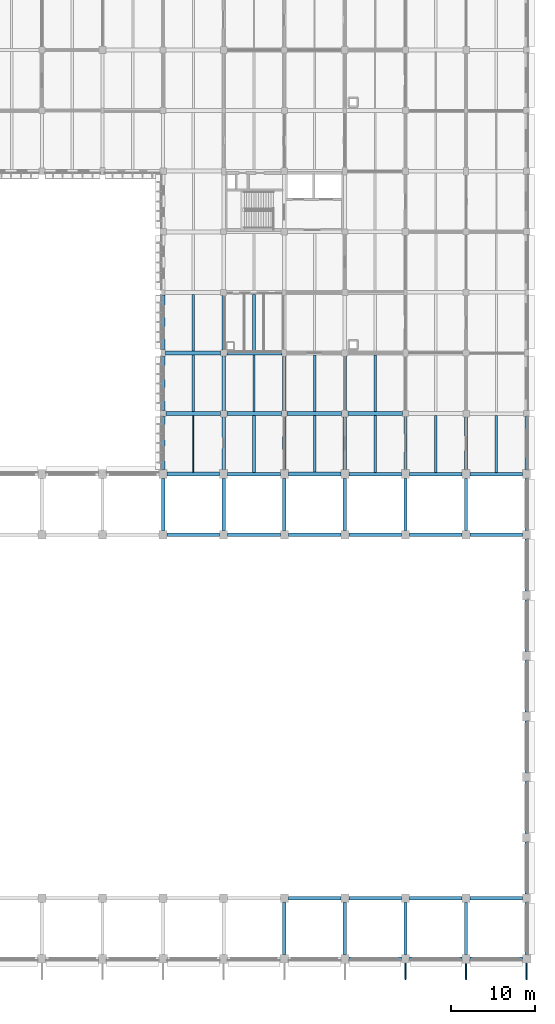
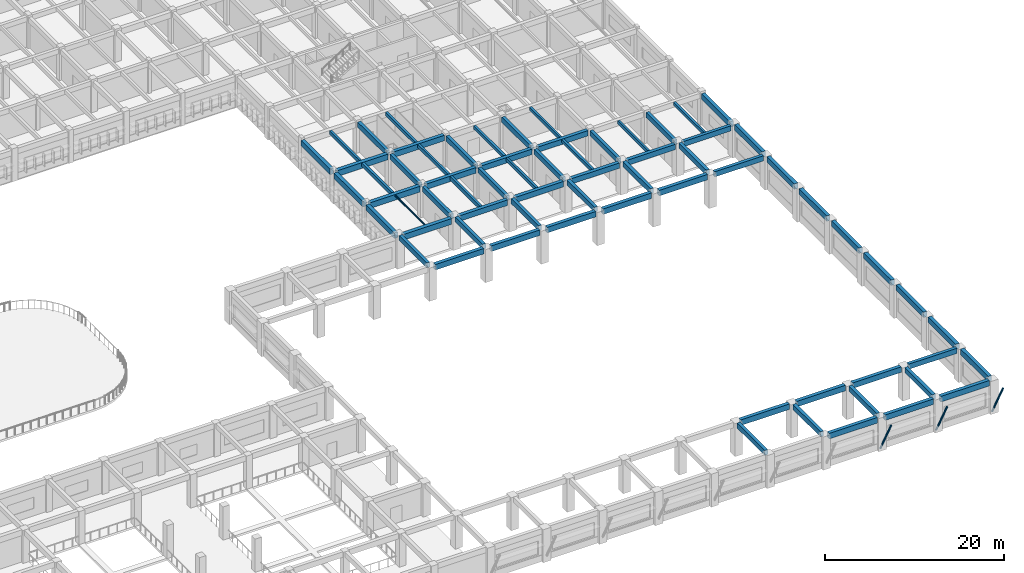
# One storey, part 11 of 61: 68 beams, 3 members.
"""IFC4 building model written with IfcOpenShell, lengths in metres."""

from ifc_helpers import new_model, si_unit, direction, frame, origin, origin_2d, place, context, subcontext, project, spatial, rectangle, hollow_circle, i_section, extrude, material, material_profile, profile_set, type_object, element, save


model = new_model("IFC4")

# Units and contexts
model_context = context("Model", 3, precision=1e-05, world=origin(), true_north=direction((0.0, 1.0)))
body_context = subcontext(model_context, "Body", "Model", "MODEL_VIEW")
ifc_project = project(units=[si_unit("LENGTHUNIT", "METRE"), si_unit("AREAUNIT", "SQUARE_METRE"), si_unit("VOLUMEUNIT", "CUBIC_METRE"), si_unit("PLANEANGLEUNIT", "RADIAN"), si_unit("MASSUNIT", "GRAM", prefix="KILO")], contexts=[model_context])

# Site, building, storey
site_placement = place(None, origin())
site = spatial("IfcSite", under=ifc_project, at=site_placement, CompositionType="ELEMENT")
building_placement = place(site_placement, origin())
building = spatial("IfcBuilding", under=site, at=building_placement, Name="Thalmaran Polytechnic", CompositionType="ELEMENT")
storey_placement = place(building_placement, frame((0.0, 0.0, 9.89990234375)))
storey = spatial("IfcBuildingStorey", under=building, at=storey_placement, Name="L02", CompositionType="ELEMENT", Elevation=9.89990234375)

# Beams
ifc_material_1 = material(Name="Concrete C40/50", Category="concrete")
ifc_material_profile_1 = material_profile(ifc_material_1, rectangle(XDim=0.449951171875, YDim=0.75, at=origin_2d()), Name="RC 450x750")
ifc_profile_set_1 = profile_set([ifc_material_profile_1], Name="Concrete C40/50")
beam_type_1 = type_object("IfcBeamType", Name="BM-RC03", PredefinedType="BEAM", material=ifc_profile_set_1)
beam_1_placement = place(storey_placement, frame((137.27490234375, 57.60009765625, 3.840087890625), z_axis=(1.0, 0.0, 0.0), x_axis=(0.0, 1.0, 0.0)))
element("IfcBeam", 1, at=beam_1_placement, inside=storey, type_object=beam_type_1, Name="Grid Beam B03 L02 X(19,8)", PredefinedType="BEAM", context=body_context, shape_type="SweptSolid", body=[
    extrude(rectangle(XDim=0.449951171875, YDim=0.75, at=origin_2d()), origin(), (0.0, 0.0, 1.0), 6.25),
])
beam_2_placement = place(storey_placement, frame((137.18994140625, 64.800048828125, 3.840087890625), z_axis=(1.0, 0.0, 0.0), x_axis=(0.0, 1.0, 0.0)))
element("IfcBeam", 2, at=beam_2_placement, inside=storey, type_object=beam_type_1, Name="Grid Beam B03 L02 X(19,9)", PredefinedType="BEAM", context=body_context, shape_type="SweptSolid", body=[
    extrude(rectangle(XDim=0.449951171875, YDim=0.75, at=origin_2d()), origin(), (0.0, 0.0, 1.0), 6.4599609375),
])
beam_3_placement = place(storey_placement, frame((137.175048828125, 72.0, 3.85009765625), z_axis=(1.0, 0.0, 0.0), x_axis=(0.0, 1.0, 0.0)))
element("IfcBeam", 3, at=beam_3_placement, inside=storey, type_object=beam_type_1, Name="Grid Beam B03 L02 X(19,10)", PredefinedType="BEAM", context=body_context, shape_type="SweptSolid", body=[
    extrude(rectangle(XDim=0.449951171875, YDim=0.75, at=origin_2d()), origin(), (0.0, 0.0, 1.0), 6.550048828125),
])
ifc_material_profile_2 = material_profile(ifc_material_1, rectangle(XDim=0.449951171875, YDim=0.72509765625, at=origin_2d()), Name="RC 450x725")
ifc_profile_set_2 = profile_set([ifc_material_profile_2], Name="Concrete C40/50")
beam_type_2 = type_object("IfcBeamType", Name="BM-RC04", PredefinedType="BEAM", material=ifc_profile_set_2)
beam_4_placement = place(storey_placement, frame((151.675048828125, 57.60009765625, 3.8525390625), z_axis=(1.0, 0.0, 0.0), x_axis=(0.0, 1.0, 0.0)))
element("IfcBeam", 4, at=beam_4_placement, inside=storey, type_object=beam_type_2, Name="Grid Beam B04 L02 X(21,8)", PredefinedType="BEAM", context=body_context, shape_type="SweptSolid", body=[
    extrude(rectangle(XDim=0.449951171875, YDim=0.72509765625, at=origin_2d()), origin(), (0.0, 0.0, 1.0), 6.25),
])
beam_5_placement = place(storey_placement, frame((151.590087890625, 64.800048828125, 3.8525390625), z_axis=(1.0, 0.0, 0.0), x_axis=(0.0, 1.0, 0.0)))
element("IfcBeam", 5, at=beam_5_placement, inside=storey, type_object=beam_type_2, Name="Grid Beam B04 L02 X(21,9)", PredefinedType="BEAM", context=body_context, shape_type="SweptSolid", body=[
    extrude(rectangle(XDim=0.449951171875, YDim=0.72509765625, at=origin_2d()), origin(), (0.0, 0.0, 1.0), 6.4599609375),
])
ifc_material_profile_3 = material_profile(ifc_material_1, rectangle(XDim=0.39990234375, YDim=0.699951171875, at=origin_2d()), Name="RC 400x700")
ifc_profile_set_3 = profile_set([ifc_material_profile_3], Name="Concrete C40/50")
beam_type_3 = type_object("IfcBeamType", Name="BM-RC05", PredefinedType="BEAM", material=ifc_profile_set_3)
for number, where, z_axis, x_axis, name in (
    (6, (166.074951171875, 7.199951171875, 4.150146484375), (1.0, 0.0, 0.0), (0.0, 1.0, 0.0), "Grid Beam B05 L02 X(23,1)"),
    (7, (166.074951171875, 50.39990234375, 4.150146484375), (1.0, 0.0, 0.0), (0.0, 1.0, 0.0), "Grid Beam B05 L02 X(23,7)"),
    (8, (166.074951171875, 57.60009765625, 3.864990234375), (1.0, 0.0, 0.0), (0.0, 1.0, 0.0), "Grid Beam B05 L02 X(23,8)"),
):
    element("IfcBeam", number, at=place(storey_placement, frame(where, z_axis=z_axis, x_axis=x_axis)), inside=storey, type_object=beam_type_3, Name=name, PredefinedType="BEAM", context=body_context, shape_type="SweptSolid", body=[
        extrude(rectangle(XDim=0.39990234375, YDim=0.699951171875, at=origin_2d()), origin(), (0.0, 0.0, 1.0), 6.25),
    ])
ifc_material_profile_4 = material_profile(ifc_material_1, rectangle(XDim=0.389892578125, YDim=0.68994140625, at=origin_2d()), Name="RC 390x690")
ifc_profile_set_4 = profile_set([ifc_material_profile_4], Name="Concrete C40/50")
beam_type_4 = type_object("IfcBeamType", Name="BM-RC09", PredefinedType="BEAM", material=ifc_profile_set_4)
beam_6_placement = place(storey_placement, frame((136.800048828125, 58.125, 3.8701171875), z_axis=(0.0, 1.0, 0.0), x_axis=(-1.0, 0.0, 0.0)))
element("IfcBeam", 9, at=beam_6_placement, inside=storey, type_object=beam_type_4, Name="Grid Beam B09 L02 Y(19,8)", PredefinedType="BEAM", context=body_context, shape_type="SweptSolid", body=[
    extrude(rectangle(XDim=0.389892578125, YDim=0.68994140625, at=origin_2d()), origin(), (0.0, 0.0, 1.0), 6.284912109375),
])
beam_7_placement = place(storey_placement, frame((144.0, 58.125, 3.8701171875), z_axis=(0.0, 1.0, 0.0), x_axis=(-1.0, 0.0, 0.0)))
element("IfcBeam", 10, at=beam_7_placement, inside=storey, type_object=beam_type_4, Name="Grid Beam B09 L02 Y(20,8)", PredefinedType="BEAM", context=body_context, shape_type="SweptSolid", body=[
    extrude(rectangle(XDim=0.389892578125, YDim=0.68994140625, at=origin_2d()), origin(), (0.0, 0.0, 1.0), 6.324951171875),
])
beam_8_placement = place(storey_placement, frame((151.199951171875, 58.125, 3.8701171875), z_axis=(0.0, 1.0, 0.0), x_axis=(-1.0, 0.0, 0.0)))
element("IfcBeam", 11, at=beam_8_placement, inside=storey, type_object=beam_type_4, Name="Grid Beam B09 L02 Y(21,8)", PredefinedType="BEAM", context=body_context, shape_type="SweptSolid", body=[
    extrude(rectangle(XDim=0.389892578125, YDim=0.68994140625, at=origin_2d()), origin(), (0.0, 0.0, 1.0), 6.284912109375),
])
beam_9_placement = place(storey_placement, frame((158.39990234375, 58.125, 3.8701171875), z_axis=(0.0, 1.0, 0.0), x_axis=(-1.0, 0.0, 0.0)))
element("IfcBeam", 12, at=beam_9_placement, inside=storey, type_object=beam_type_4, Name="Grid Beam B09 L02 Y(22,8)", PredefinedType="BEAM", context=body_context, shape_type="SweptSolid", body=[
    extrude(rectangle(XDim=0.389892578125, YDim=0.68994140625, at=origin_2d()), origin(), (0.0, 0.0, 1.0), 6.324951171875),
])
beam_10_placement = place(storey_placement, frame((165.60009765625, 58.125, 3.8701171875), z_axis=(0.0, 1.0, 0.0), x_axis=(-1.0, 0.0, 0.0)))
element("IfcBeam", 13, at=beam_10_placement, inside=storey, type_object=beam_type_4, Name="Grid Beam B09 L02 Y(23,8)", PredefinedType="BEAM", context=body_context, shape_type="SweptSolid", body=[
    extrude(rectangle(XDim=0.389892578125, YDim=0.68994140625, at=origin_2d()), origin(), (0.0, 0.0, 1.0), 6.284912109375),
])
ifc_material_profile_5 = material_profile(ifc_material_1, rectangle(XDim=0.389892578125, YDim=0.695068359375, at=origin_2d()), Name="RC 390x695")
ifc_profile_set_5 = profile_set([ifc_material_profile_5], Name="Concrete C40/50")
beam_type_5 = type_object("IfcBeamType", Name="BM-RC10", PredefinedType="BEAM", material=ifc_profile_set_5)
beam_11_placement = place(storey_placement, frame((136.800048828125, 72.375, 3.877685546875), z_axis=(0.0, 1.0, 0.0), x_axis=(-1.0, 0.0, 0.0)))
element("IfcBeam", 14, at=beam_11_placement, inside=storey, type_object=beam_type_5, Name="Grid Beam B10 L02 Y(19,10)", PredefinedType="BEAM", context=body_context, shape_type="SweptSolid", body=[
    extrude(rectangle(XDim=0.389892578125, YDim=0.695068359375, at=origin_2d()), origin(), (0.0, 0.0, 1.0), 6.465087890625),
])
ifc_material_profile_6 = material_profile(ifc_material_1, rectangle(XDim=0.300048828125, YDim=0.5, at=origin_2d()), Name="RC 300x500")
ifc_profile_set_6 = profile_set([ifc_material_profile_6], Name="Concrete C40/50")
beam_type_6 = type_object("IfcBeamType", Name="BM-RC11", PredefinedType="JOIST", material=ifc_profile_set_6)
beam_12_placement = place(storey_placement, frame((133.199951171875, 65.0400390625, 3.97509765625), z_axis=(0.0, 1.0, 0.0), x_axis=(-1.0, 0.0, 0.0)))
element("IfcBeam", 15, at=beam_12_placement, inside=storey, type_object=beam_type_6, Name="Secondary Floor Rib RB01 L02 (18,9)", PredefinedType="JOIST", context=body_context, shape_type="SweptSolid", body=[
    extrude(rectangle(XDim=0.300048828125, YDim=0.5, at=origin_2d()), origin(), (0.0, 0.0, 1.0), 6.719970703125),
])
beam_13_placement = place(storey_placement, frame((140.39990234375, 57.824951171875, 3.965087890625), z_axis=(0.0, 1.0, 0.0), x_axis=(-1.0, 0.0, 0.0)))
element("IfcBeam", 16, at=beam_13_placement, inside=storey, type_object=beam_type_6, Name="Secondary Floor Rib RB01 L02 (19,8)", PredefinedType="JOIST", context=body_context, shape_type="SweptSolid", body=[
    extrude(rectangle(XDim=0.300048828125, YDim=0.5, at=origin_2d()), origin(), (0.0, 0.0, 1.0), 6.75),
])
ifc_material_profile_7 = material_profile(ifc_material_1, rectangle(XDim=0.300048828125, YDim=0.449951171875, at=origin_2d()), Name="RC 300x450")
ifc_profile_set_7 = profile_set([ifc_material_profile_7], Name="Concrete C40/50")
beam_type_7 = type_object("IfcBeamType", Name="BM-RC12", PredefinedType="JOIST", material=ifc_profile_set_7)
beam_14_placement = place(storey_placement, frame((140.39990234375, 72.22509765625, 4.0), z_axis=(0.0, 1.0, 0.0), x_axis=(-1.0, 0.0, 0.0)))
element("IfcBeam", 17, at=beam_14_placement, inside=storey, type_object=beam_type_7, Name="Secondary Floor Rib RB02 L02 (19,10)", PredefinedType="JOIST", context=body_context, shape_type="SweptSolid", body=[
    extrude(rectangle(XDim=0.300048828125, YDim=0.449951171875, at=origin_2d()), origin(), (0.0, 0.0, 1.0), 6.75),
])
beam_15_placement = place(storey_placement, frame((147.60009765625, 65.030029296875, 4.0), z_axis=(0.0, 1.0, 0.0), x_axis=(-1.0, 0.0, 0.0)))
element("IfcBeam", 18, at=beam_15_placement, inside=storey, type_object=beam_type_7, Name="Secondary Floor Rib RB02 L02 (20,9)", PredefinedType="JOIST", context=body_context, shape_type="SweptSolid", body=[
    extrude(rectangle(XDim=0.300048828125, YDim=0.449951171875, at=origin_2d()), origin(), (0.0, 0.0, 1.0), 6.739990234375),
])
beam_16_placement = place(storey_placement, frame((154.800048828125, 57.824951171875, 3.989990234375), z_axis=(0.0, 1.0, 0.0), x_axis=(-1.0, 0.0, 0.0)))
element("IfcBeam", 19, at=beam_16_placement, inside=storey, type_object=beam_type_7, Name="Secondary Floor Rib RB02 L02 (21,8)", PredefinedType="JOIST", context=body_context, shape_type="SweptSolid", body=[
    extrude(rectangle(XDim=0.300048828125, YDim=0.449951171875, at=origin_2d()), origin(), (0.0, 0.0, 1.0), 6.75),
])
ifc_material_profile_8 = material_profile(ifc_material_1, rectangle(XDim=0.280029296875, YDim=0.449951171875, at=origin_2d()), Name="RC 280x450")
ifc_profile_set_8 = profile_set([ifc_material_profile_8], Name="Concrete C40/50")
beam_type_8 = type_object("IfcBeamType", Name="BM-RC13", PredefinedType="JOIST", material=ifc_profile_set_8)
beam_17_placement = place(storey_placement, frame((169.199951171875, 57.800048828125, 3.989990234375), z_axis=(0.0, 1.0, 0.0), x_axis=(-1.0, 0.0, 0.0)))
element("IfcBeam", 20, at=beam_17_placement, inside=storey, type_object=beam_type_8, Name="Secondary Floor Rib RB03 L02 (23,8)", PredefinedType="JOIST", context=body_context, shape_type="SweptSolid", body=[
    extrude(rectangle(XDim=0.280029296875, YDim=0.449951171875, at=origin_2d()), origin(), (0.0, 0.0, 1.0), 6.800048828125),
])
ifc_material_2 = material(Name="Steel S355", Category="steel")
ifc_material_profile_9 = material_profile(ifc_material_2, i_section(OverallWidth=0.110107421875, OverallDepth=0.219970703125, WebThickness=0.005859375, FlangeThickness=0.00927734375, at=origin_2d()), Name="IPE 220")
ifc_profile_set_9 = profile_set([ifc_material_profile_9], Name="Steel S355")
beam_type_9 = type_object("IfcBeamType", Name="BM-SJ04", PredefinedType="JOIST", material=ifc_profile_set_9)
beam_18_placement = place(storey_placement, frame((133.199951171875, 57.840087890625, 4.10498046875), z_axis=(0.0, 1.0, 0.0), x_axis=(-1.0, 0.0, 0.0)))
element("IfcBeam", 21, at=beam_18_placement, inside=storey, type_object=beam_type_9, Name="Secondary Floor Rib SJ04 L02 (18,8)", PredefinedType="JOIST", context=body_context, shape_type="SweptSolid", body=[
    extrude(i_section(OverallWidth=0.110107421875, OverallDepth=0.219970703125, WebThickness=0.005859375, FlangeThickness=0.00927734375, at=origin_2d()), origin(), (0.0, 0.0, 1.0), 6.719970703125),
])
ifc_material_profile_10 = material_profile(ifc_material_1, rectangle(XDim=0.449951171875, YDim=0.7548828125, at=origin_2d()), Name="RC 450x755")
ifc_profile_set_10 = profile_set([ifc_material_profile_10], Name="Concrete C40/50")
beam_type_10 = type_object("IfcBeamType", Name="BM-SP02", PredefinedType="SPANDREL", material=ifc_profile_set_10)
for number, where, z_axis, x_axis, name in (
    (22, (130.074951171875, 50.39990234375, 4.12255859375), (1.0, 0.0, 0.0), (0.0, 1.0, 0.0), "Grid Beam SP02 L02 X(18,7)"),
    (23, (137.27490234375, 50.39990234375, 4.12255859375), (1.0, 0.0, 0.0), (0.0, 1.0, 0.0), "Grid Beam SP02 L02 X(19,7)"),
    (24, (144.47509765625, 7.199951171875, 4.12255859375), (1.0, 0.0, 0.0), (0.0, 1.0, 0.0), "Grid Beam SP02 L02 X(20,1)"),
    (25, (144.47509765625, 50.39990234375, 4.12255859375), (1.0, 0.0, 0.0), (0.0, 1.0, 0.0), "Grid Beam SP02 L02 X(20,7)"),
):
    element("IfcBeam", number, at=place(storey_placement, frame(where, z_axis=z_axis, x_axis=x_axis)), inside=storey, type_object=beam_type_10, Name=name, PredefinedType="SPANDREL", context=body_context, shape_type="SweptSolid", body=[
        extrude(rectangle(XDim=0.449951171875, YDim=0.7548828125, at=origin_2d()), origin(), (0.0, 0.0, 1.0), 6.25),
    ])
beam_19_placement = place(storey_placement, frame((151.675048828125, 0.0, 4.12255859375), z_axis=(1.0, 0.0, 0.0), x_axis=(0.0, 1.0, 0.0)))
element("IfcBeam", 26, at=beam_19_placement, inside=storey, type_object=beam_type_10, Name="Grid Beam SP02 L02 X(21,0)", PredefinedType="SPANDREL", context=body_context, shape_type="SweptSolid", body=[
    extrude(rectangle(XDim=0.449951171875, YDim=0.7548828125, at=origin_2d()), origin(), (0.0, 0.0, 1.0), 6.224853515625),
])
for number, where, z_axis, x_axis, name in (
    (27, (151.675048828125, 7.199951171875, 4.12255859375), (1.0, 0.0, 0.0), (0.0, 1.0, 0.0), "Grid Beam SP02 L02 X(21,1)"),
    (28, (151.675048828125, 50.39990234375, 4.12255859375), (1.0, 0.0, 0.0), (0.0, 1.0, 0.0), "Grid Beam SP02 L02 X(21,7)"),
):
    element("IfcBeam", number, at=place(storey_placement, frame(where, z_axis=z_axis, x_axis=x_axis)), inside=storey, type_object=beam_type_10, Name=name, PredefinedType="SPANDREL", context=body_context, shape_type="SweptSolid", body=[
        extrude(rectangle(XDim=0.449951171875, YDim=0.7548828125, at=origin_2d()), origin(), (0.0, 0.0, 1.0), 6.25),
    ])
beam_20_placement = place(storey_placement, frame((158.89990234375, 0.0, 4.12255859375), z_axis=(1.0, 0.0, 0.0), x_axis=(0.0, 1.0, 0.0)))
element("IfcBeam", 29, at=beam_20_placement, inside=storey, type_object=beam_type_10, Name="Grid Beam SP02 L02 X(22,0)", PredefinedType="SPANDREL", context=body_context, shape_type="SweptSolid", body=[
    extrude(rectangle(XDim=0.449951171875, YDim=0.7548828125, at=origin_2d()), origin(), (0.0, 0.0, 1.0), 6.22509765625),
])
for number, where, z_axis, x_axis, name in (
    (30, (158.875, 7.199951171875, 4.12255859375), (1.0, 0.0, 0.0), (0.0, 1.0, 0.0), "Grid Beam SP02 L02 X(22,1)"),
    (31, (158.875, 50.39990234375, 4.12255859375), (1.0, 0.0, 0.0), (0.0, 1.0, 0.0), "Grid Beam SP02 L02 X(22,7)"),
):
    element("IfcBeam", number, at=place(storey_placement, frame(where, z_axis=z_axis, x_axis=x_axis)), inside=storey, type_object=beam_type_10, Name=name, PredefinedType="SPANDREL", context=body_context, shape_type="SweptSolid", body=[
        extrude(rectangle(XDim=0.449951171875, YDim=0.7548828125, at=origin_2d()), origin(), (0.0, 0.0, 1.0), 6.25),
    ])
beam_21_placement = place(storey_placement, frame((166.074951171875, 0.0, 4.12255859375), z_axis=(1.0, 0.0, 0.0), x_axis=(0.0, 1.0, 0.0)))
element("IfcBeam", 32, at=beam_21_placement, inside=storey, type_object=beam_type_10, Name="Grid Beam SP02 L02 X(23,0)", PredefinedType="SPANDREL", context=body_context, shape_type="SweptSolid", body=[
    extrude(rectangle(XDim=0.449951171875, YDim=0.7548828125, at=origin_2d()), origin(), (0.0, 0.0, 1.0), 6.22509765625),
])
beam_22_placement = place(storey_placement, frame((129.60009765625, 58.125, 3.837646484375), z_axis=(0.0, 1.0, 0.0), x_axis=(-1.0, 0.0, 0.0)))
element("IfcBeam", 33, at=beam_22_placement, inside=storey, type_object=beam_type_10, Name="Grid Beam SP02 L02 Y(18,8)", PredefinedType="SPANDREL", context=body_context, shape_type="SweptSolid", body=[
    extrude(rectangle(XDim=0.449951171875, YDim=0.7548828125, at=origin_2d()), origin(), (0.0, 0.0, 1.0), 6.324951171875),
])
beam_23_placement = place(storey_placement, frame((129.60009765625, 65.14990234375, 3.84765625), z_axis=(0.0, 1.0, 0.0), x_axis=(-1.0, 0.0, 0.0)))
element("IfcBeam", 34, at=beam_23_placement, inside=storey, type_object=beam_type_10, Name="Grid Beam SP02 L02 Y(18,9)", PredefinedType="SPANDREL", context=body_context, shape_type="SweptSolid", body=[
    extrude(rectangle(XDim=0.449951171875, YDim=0.7548828125, at=origin_2d()), origin(), (0.0, 0.0, 1.0), 6.425048828125),
])
beam_24_placement = place(storey_placement, frame((129.60009765625, 72.425048828125, 3.84765625), z_axis=(0.0, 1.0, 0.0), x_axis=(-1.0, 0.0, 0.0)))
element("IfcBeam", 35, at=beam_24_placement, inside=storey, type_object=beam_type_10, Name="Grid Beam SP02 L02 Y(18,10)", PredefinedType="SPANDREL", context=body_context, shape_type="SweptSolid", body=[
    extrude(rectangle(XDim=0.449951171875, YDim=0.7548828125, at=origin_2d()), origin(), (0.0, 0.0, 1.0), 6.474853515625),
])
beam_25_placement = place(storey_placement, frame((172.800048828125, 0.5, 4.12255859375), z_axis=(0.0, 1.0, 0.0), x_axis=(-1.0, 0.0, 0.0)))
element("IfcBeam", 36, at=beam_25_placement, inside=storey, type_object=beam_type_10, Name="Grid Beam SP02 L02 Y(24,0)", PredefinedType="SPANDREL", context=body_context, shape_type="SweptSolid", body=[
    extrude(rectangle(XDim=0.449951171875, YDim=0.7548828125, at=origin_2d()), origin(), (0.0, 0.0, 1.0), 6.175048828125),
])
for number, where, z_axis, x_axis, name in (
    (37, (172.800048828125, 7.72509765625, 4.12255859375), (0.0, 1.0, 0.0), (-1.0, 0.0, 0.0), "Grid Beam SP02 L02 Y(24,1)"),
    (38, (172.800048828125, 14.925048828125, 4.12255859375), (0.0, 1.0, 0.0), (-1.0, 0.0, 0.0), "Grid Beam SP02 L02 Y(24,2)"),
    (39, (172.800048828125, 22.125, 4.12255859375), (0.0, 1.0, 0.0), (-1.0, 0.0, 0.0), "Grid Beam SP02 L02 Y(24,3)"),
):
    element("IfcBeam", number, at=place(storey_placement, frame(where, z_axis=z_axis, x_axis=x_axis)), inside=storey, type_object=beam_type_10, Name=name, PredefinedType="SPANDREL", context=body_context, shape_type="SweptSolid", body=[
        extrude(rectangle(XDim=0.449951171875, YDim=0.7548828125, at=origin_2d()), origin(), (0.0, 0.0, 1.0), 6.14990234375),
    ])
for number, where, z_axis, x_axis, name in (
    (40, (172.800048828125, 29.324951171875, 4.12255859375), (0.0, 1.0, 0.0), (-1.0, 0.0, 0.0), "Grid Beam SP02 L02 Y(24,4)"),
    (41, (172.800048828125, 36.52490234375, 4.12255859375), (0.0, 1.0, 0.0), (-1.0, 0.0, 0.0), "Grid Beam SP02 L02 Y(24,5)"),
):
    element("IfcBeam", number, at=place(storey_placement, frame(where, z_axis=z_axis, x_axis=x_axis)), inside=storey, type_object=beam_type_10, Name=name, PredefinedType="SPANDREL", context=body_context, shape_type="SweptSolid", body=[
        extrude(rectangle(XDim=0.449951171875, YDim=0.7548828125, at=origin_2d()), origin(), (0.0, 0.0, 1.0), 6.150146484375),
    ])
for number, where, z_axis, x_axis, name in (
    (42, (172.800048828125, 43.72509765625, 4.12255859375), (0.0, 1.0, 0.0), (-1.0, 0.0, 0.0), "Grid Beam SP02 L02 Y(24,6)"),
    (43, (172.800048828125, 50.925048828125, 4.12255859375), (0.0, 1.0, 0.0), (-1.0, 0.0, 0.0), "Grid Beam SP02 L02 Y(24,7)"),
):
    element("IfcBeam", number, at=place(storey_placement, frame(where, z_axis=z_axis, x_axis=x_axis)), inside=storey, type_object=beam_type_10, Name=name, PredefinedType="SPANDREL", context=body_context, shape_type="SweptSolid", body=[
        extrude(rectangle(XDim=0.449951171875, YDim=0.7548828125, at=origin_2d()), origin(), (0.0, 0.0, 1.0), 6.14990234375),
    ])
beam_26_placement = place(storey_placement, frame((172.800048828125, 58.125, 3.837646484375), z_axis=(0.0, 1.0, 0.0), x_axis=(-1.0, 0.0, 0.0)))
element("IfcBeam", 44, at=beam_26_placement, inside=storey, type_object=beam_type_10, Name="Grid Beam SP02 L02 Y(24,8)", PredefinedType="SPANDREL", context=body_context, shape_type="SweptSolid", body=[
    extrude(rectangle(XDim=0.449951171875, YDim=0.7548828125, at=origin_2d()), origin(), (0.0, 0.0, 1.0), 6.324951171875),
])
ifc_material_profile_11 = material_profile(ifc_material_1, rectangle(XDim=0.47998046875, YDim=0.780029296875, at=origin_2d()), Name="RC 480x780")
ifc_profile_set_11 = profile_set([ifc_material_profile_11], Name="Concrete C40/50")
beam_type_11 = type_object("IfcBeamType", Name="BM-ZB01", PredefinedType="BEAM", material=ifc_profile_set_11)
beam_27_placement = place(storey_placement, frame((130.074951171875, 57.60009765625, 3.8251953125), z_axis=(1.0, 0.0, 0.0), x_axis=(0.0, 1.0, 0.0)))
element("IfcBeam", 45, at=beam_27_placement, inside=storey, type_object=beam_type_11, Name="Grid Beam ZB01 L02 X(18,8)", PredefinedType="BEAM", context=body_context, shape_type="SweptSolid", body=[
    extrude(rectangle(XDim=0.47998046875, YDim=0.780029296875, at=origin_2d()), origin(), (0.0, 0.0, 1.0), 6.25),
])
beam_28_placement = place(storey_placement, frame((129.949951171875, 64.800048828125, 3.8251953125), z_axis=(1.0, 0.0, 0.0), x_axis=(0.0, 1.0, 0.0)))
element("IfcBeam", 46, at=beam_28_placement, inside=storey, type_object=beam_type_11, Name="Grid Beam ZB01 L02 X(18,9)", PredefinedType="BEAM", context=body_context, shape_type="SweptSolid", body=[
    extrude(rectangle(XDim=0.47998046875, YDim=0.780029296875, at=origin_2d()), origin(), (0.0, 0.0, 1.0), 6.4599609375),
])
beam_29_placement = place(storey_placement, frame((129.875, 72.0, 3.835205078125), z_axis=(1.0, 0.0, 0.0), x_axis=(0.0, 1.0, 0.0)))
element("IfcBeam", 47, at=beam_29_placement, inside=storey, type_object=beam_type_11, Name="Grid Beam ZB01 L02 X(18,10)", PredefinedType="BEAM", context=body_context, shape_type="SweptSolid", body=[
    extrude(rectangle(XDim=0.47998046875, YDim=0.780029296875, at=origin_2d()), origin(), (0.0, 0.0, 1.0), 6.550048828125),
])
ifc_material_profile_12 = material_profile(ifc_material_1, rectangle(XDim=0.4599609375, YDim=0.739990234375, at=origin_2d()), Name="RC 460x740")
ifc_profile_set_12 = profile_set([ifc_material_profile_12], Name="Concrete C40/50")
beam_type_12 = type_object("IfcBeamType", Name="BM-ZB02", PredefinedType="BEAM", material=ifc_profile_set_12)
beam_30_placement = place(storey_placement, frame((144.47509765625, 57.60009765625, 3.84521484375), z_axis=(1.0, 0.0, 0.0), x_axis=(0.0, 1.0, 0.0)))
element("IfcBeam", 48, at=beam_30_placement, inside=storey, type_object=beam_type_12, Name="Grid Beam ZB02 L02 X(20,8)", PredefinedType="BEAM", context=body_context, shape_type="SweptSolid", body=[
    extrude(rectangle(XDim=0.4599609375, YDim=0.739990234375, at=origin_2d()), origin(), (0.0, 0.0, 1.0), 6.25),
])
beam_31_placement = place(storey_placement, frame((144.35009765625, 64.800048828125, 3.84521484375), z_axis=(1.0, 0.0, 0.0), x_axis=(0.0, 1.0, 0.0)))
element("IfcBeam", 49, at=beam_31_placement, inside=storey, type_object=beam_type_12, Name="Grid Beam ZB02 L02 X(20,9)", PredefinedType="BEAM", context=body_context, shape_type="SweptSolid", body=[
    extrude(rectangle(XDim=0.4599609375, YDim=0.739990234375, at=origin_2d()), origin(), (0.0, 0.0, 1.0), 6.4599609375),
])
ifc_material_profile_13 = material_profile(ifc_material_1, rectangle(XDim=0.43994140625, YDim=0.719970703125, at=origin_2d()), Name="RC 440x720")
ifc_profile_set_13 = profile_set([ifc_material_profile_13], Name="Concrete C40/50")
beam_type_13 = type_object("IfcBeamType", Name="BM-ZB03", PredefinedType="BEAM", material=ifc_profile_set_13)
beam_32_placement = place(storey_placement, frame((158.875, 57.60009765625, 3.85498046875), z_axis=(1.0, 0.0, 0.0), x_axis=(0.0, 1.0, 0.0)))
element("IfcBeam", 50, at=beam_32_placement, inside=storey, type_object=beam_type_13, Name="Grid Beam ZB03 L02 X(22,8)", PredefinedType="BEAM", context=body_context, shape_type="SweptSolid", body=[
    extrude(rectangle(XDim=0.43994140625, YDim=0.719970703125, at=origin_2d()), origin(), (0.0, 0.0, 1.0), 6.25),
])
ifc_material_profile_14 = material_profile(ifc_material_1, rectangle(XDim=0.39990234375, YDim=0.68505859375, at=origin_2d()), Name="RC 400x685")
ifc_profile_set_14 = profile_set([ifc_material_profile_14], Name="Concrete C40/50")
beam_type_14 = type_object("IfcBeamType", Name="BM-ZB07", PredefinedType="BEAM", material=ifc_profile_set_14)
for number, where, z_axis, x_axis, name in (
    (51, (129.60009765625, 50.925048828125, 4.15771484375), (0.0, 1.0, 0.0), (-1.0, 0.0, 0.0), "Grid Beam ZB07 L02 Y(18,7)"),
    (52, (136.800048828125, 50.925048828125, 4.15771484375), (0.0, 1.0, 0.0), (-1.0, 0.0, 0.0), "Grid Beam ZB07 L02 Y(19,7)"),
):
    element("IfcBeam", number, at=place(storey_placement, frame(where, z_axis=z_axis, x_axis=x_axis)), inside=storey, type_object=beam_type_14, Name=name, PredefinedType="BEAM", context=body_context, shape_type="SweptSolid", body=[
        extrude(rectangle(XDim=0.39990234375, YDim=0.68505859375, at=origin_2d()), origin(), (0.0, 0.0, 1.0), 6.14990234375),
    ])
beam_33_placement = place(storey_placement, frame((144.0, 0.5, 4.15771484375), z_axis=(0.0, 1.0, 0.0), x_axis=(-1.0, 0.0, 0.0)))
element("IfcBeam", 53, at=beam_33_placement, inside=storey, type_object=beam_type_14, Name="Grid Beam ZB07 L02 Y(20,0)", PredefinedType="BEAM", context=body_context, shape_type="SweptSolid", body=[
    extrude(rectangle(XDim=0.39990234375, YDim=0.68505859375, at=origin_2d()), origin(), (0.0, 0.0, 1.0), 6.175048828125),
])
beam_34_placement = place(storey_placement, frame((144.0, 50.925048828125, 4.15771484375), z_axis=(0.0, 1.0, 0.0), x_axis=(-1.0, 0.0, 0.0)))
element("IfcBeam", 54, at=beam_34_placement, inside=storey, type_object=beam_type_14, Name="Grid Beam ZB07 L02 Y(20,7)", PredefinedType="BEAM", context=body_context, shape_type="SweptSolid", body=[
    extrude(rectangle(XDim=0.39990234375, YDim=0.68505859375, at=origin_2d()), origin(), (0.0, 0.0, 1.0), 6.14990234375),
])
beam_35_placement = place(storey_placement, frame((151.199951171875, 0.52490234375, 4.15771484375), z_axis=(0.0, 1.0, 0.0), x_axis=(-1.0, 0.0, 0.0)))
element("IfcBeam", 55, at=beam_35_placement, inside=storey, type_object=beam_type_14, Name="Grid Beam ZB07 L02 Y(21,0)", PredefinedType="BEAM", context=body_context, shape_type="SweptSolid", body=[
    extrude(rectangle(XDim=0.39990234375, YDim=0.68505859375, at=origin_2d()), origin(), (0.0, 0.0, 1.0), 6.150146484375),
])
beam_36_placement = place(storey_placement, frame((151.199951171875, 50.925048828125, 4.15771484375), z_axis=(0.0, 1.0, 0.0), x_axis=(-1.0, 0.0, 0.0)))
element("IfcBeam", 56, at=beam_36_placement, inside=storey, type_object=beam_type_14, Name="Grid Beam ZB07 L02 Y(21,7)", PredefinedType="BEAM", context=body_context, shape_type="SweptSolid", body=[
    extrude(rectangle(XDim=0.39990234375, YDim=0.68505859375, at=origin_2d()), origin(), (0.0, 0.0, 1.0), 6.14990234375),
])
beam_37_placement = place(storey_placement, frame((158.39990234375, 0.5, 4.15771484375), z_axis=(0.0, 1.0, 0.0), x_axis=(-1.0, 0.0, 0.0)))
element("IfcBeam", 57, at=beam_37_placement, inside=storey, type_object=beam_type_14, Name="Grid Beam ZB07 L02 Y(22,0)", PredefinedType="BEAM", context=body_context, shape_type="SweptSolid", body=[
    extrude(rectangle(XDim=0.39990234375, YDim=0.68505859375, at=origin_2d()), origin(), (0.0, 0.0, 1.0), 6.175048828125),
])
beam_38_placement = place(storey_placement, frame((158.39990234375, 50.925048828125, 4.15771484375), z_axis=(0.0, 1.0, 0.0), x_axis=(-1.0, 0.0, 0.0)))
element("IfcBeam", 58, at=beam_38_placement, inside=storey, type_object=beam_type_14, Name="Grid Beam ZB07 L02 Y(22,7)", PredefinedType="BEAM", context=body_context, shape_type="SweptSolid", body=[
    extrude(rectangle(XDim=0.39990234375, YDim=0.68505859375, at=origin_2d()), origin(), (0.0, 0.0, 1.0), 6.14990234375),
])
beam_39_placement = place(storey_placement, frame((165.60009765625, 0.52490234375, 4.15771484375), z_axis=(0.0, 1.0, 0.0), x_axis=(-1.0, 0.0, 0.0)))
element("IfcBeam", 59, at=beam_39_placement, inside=storey, type_object=beam_type_14, Name="Grid Beam ZB07 L02 Y(23,0)", PredefinedType="BEAM", context=body_context, shape_type="SweptSolid", body=[
    extrude(rectangle(XDim=0.39990234375, YDim=0.68505859375, at=origin_2d()), origin(), (0.0, 0.0, 1.0), 6.150146484375),
])
beam_40_placement = place(storey_placement, frame((165.60009765625, 50.925048828125, 4.15771484375), z_axis=(0.0, 1.0, 0.0), x_axis=(-1.0, 0.0, 0.0)))
element("IfcBeam", 60, at=beam_40_placement, inside=storey, type_object=beam_type_14, Name="Grid Beam ZB07 L02 Y(23,7)", PredefinedType="BEAM", context=body_context, shape_type="SweptSolid", body=[
    extrude(rectangle(XDim=0.39990234375, YDim=0.68505859375, at=origin_2d()), origin(), (0.0, 0.0, 1.0), 6.14990234375),
])
ifc_material_profile_15 = material_profile(ifc_material_1, rectangle(XDim=0.39990234375, YDim=0.695068359375, at=origin_2d()), Name="RC 400x695")
ifc_profile_set_15 = profile_set([ifc_material_profile_15], Name="Concrete C40/50")
beam_type_15 = type_object("IfcBeamType", Name="BM-ZB08", PredefinedType="BEAM", material=ifc_profile_set_15)
beam_41_placement = place(storey_placement, frame((136.800048828125, 65.18994140625, 3.877685546875), z_axis=(0.0, 1.0, 0.0), x_axis=(-1.0, 0.0, 0.0)))
element("IfcBeam", 61, at=beam_41_placement, inside=storey, type_object=beam_type_15, Name="Grid Beam ZB08 L02 Y(19,9)", PredefinedType="BEAM", context=body_context, shape_type="SweptSolid", body=[
    extrude(rectangle(XDim=0.39990234375, YDim=0.695068359375, at=origin_2d()), origin(), (0.0, 0.0, 1.0), 6.43505859375),
])
beam_42_placement = place(storey_placement, frame((144.0, 65.14990234375, 3.877685546875), z_axis=(0.0, 1.0, 0.0), x_axis=(-1.0, 0.0, 0.0)))
element("IfcBeam", 62, at=beam_42_placement, inside=storey, type_object=beam_type_15, Name="Grid Beam ZB08 L02 Y(20,9)", PredefinedType="BEAM", context=body_context, shape_type="SweptSolid", body=[
    extrude(rectangle(XDim=0.39990234375, YDim=0.695068359375, at=origin_2d()), origin(), (0.0, 0.0, 1.0), 6.425048828125),
])
beam_43_placement = place(storey_placement, frame((151.199951171875, 65.18994140625, 3.877685546875), z_axis=(0.0, 1.0, 0.0), x_axis=(-1.0, 0.0, 0.0)))
element("IfcBeam", 63, at=beam_43_placement, inside=storey, type_object=beam_type_15, Name="Grid Beam ZB08 L02 Y(21,9)", PredefinedType="BEAM", context=body_context, shape_type="SweptSolid", body=[
    extrude(rectangle(XDim=0.39990234375, YDim=0.695068359375, at=origin_2d()), origin(), (0.0, 0.0, 1.0), 6.43505859375),
])
ifc_material_profile_16 = material_profile(ifc_material_1, rectangle(XDim=0.280029296875, YDim=0.47998046875, at=origin_2d()), Name="RC 280x480")
ifc_profile_set_16 = profile_set([ifc_material_profile_16], Name="Concrete C40/50")
beam_type_16 = type_object("IfcBeamType", Name="BM-ZJ01", PredefinedType="JOIST", material=ifc_profile_set_16)
beam_44_placement = place(storey_placement, frame((133.199951171875, 72.239990234375, 3.985107421875), z_axis=(0.0, 1.0, 0.0), x_axis=(-1.0, 0.0, 0.0)))
element("IfcBeam", 64, at=beam_44_placement, inside=storey, type_object=beam_type_16, Name="Secondary Floor Rib ZJ01 L02 (18,10)", PredefinedType="JOIST", context=body_context, shape_type="SweptSolid", body=[
    extrude(rectangle(XDim=0.280029296875, YDim=0.47998046875, at=origin_2d()), origin(), (0.0, 0.0, 1.0), 6.719970703125),
])
beam_45_placement = place(storey_placement, frame((140.39990234375, 65.02490234375, 3.985107421875), z_axis=(0.0, 1.0, 0.0), x_axis=(-1.0, 0.0, 0.0)))
element("IfcBeam", 65, at=beam_45_placement, inside=storey, type_object=beam_type_16, Name="Secondary Floor Rib ZJ01 L02 (19,9)", PredefinedType="JOIST", context=body_context, shape_type="SweptSolid", body=[
    extrude(rectangle(XDim=0.280029296875, YDim=0.47998046875, at=origin_2d()), origin(), (0.0, 0.0, 1.0), 6.75),
])
beam_46_placement = place(storey_placement, frame((147.60009765625, 57.830078125, 3.97509765625), z_axis=(0.0, 1.0, 0.0), x_axis=(-1.0, 0.0, 0.0)))
element("IfcBeam", 66, at=beam_46_placement, inside=storey, type_object=beam_type_16, Name="Secondary Floor Rib ZJ01 L02 (20,8)", PredefinedType="JOIST", context=body_context, shape_type="SweptSolid", body=[
    extrude(rectangle(XDim=0.280029296875, YDim=0.47998046875, at=origin_2d()), origin(), (0.0, 0.0, 1.0), 6.739990234375),
])
ifc_material_profile_17 = material_profile(ifc_material_1, rectangle(XDim=0.260009765625, YDim=0.43994140625, at=origin_2d()), Name="RC 260x440")
ifc_profile_set_17 = profile_set([ifc_material_profile_17], Name="Concrete C40/50")
beam_type_17 = type_object("IfcBeamType", Name="BM-ZJ02", PredefinedType="JOIST", material=ifc_profile_set_17)
beam_47_placement = place(storey_placement, frame((154.800048828125, 65.02490234375, 4.005126953125), z_axis=(0.0, 1.0, 0.0), x_axis=(-1.0, 0.0, 0.0)))
element("IfcBeam", 67, at=beam_47_placement, inside=storey, type_object=beam_type_17, Name="Secondary Floor Rib ZJ02 L02 (21,9)", PredefinedType="JOIST", context=body_context, shape_type="SweptSolid", body=[
    extrude(rectangle(XDim=0.260009765625, YDim=0.43994140625, at=origin_2d()), origin(), (0.0, 0.0, 1.0), 6.75),
])
beam_48_placement = place(storey_placement, frame((162.0, 57.820068359375, 3.9951171875), z_axis=(0.0, 1.0, 0.0), x_axis=(-1.0, 0.0, 0.0)))
element("IfcBeam", 68, at=beam_48_placement, inside=storey, type_object=beam_type_17, Name="Secondary Floor Rib ZJ02 L02 (22,8)", PredefinedType="JOIST", context=body_context, shape_type="SweptSolid", body=[
    extrude(rectangle(XDim=0.260009765625, YDim=0.43994140625, at=origin_2d()), origin(), (0.0, 0.0, 1.0), 6.760009765625),
])

# Members
ifc_material_profile_18 = material_profile(ifc_material_2, hollow_circle(Radius=0.122314453125, WallThickness=0.010009765625, at=origin_2d()), Name="CHS 244.5x10.0")
ifc_profile_set_18 = profile_set([ifc_material_profile_18], Name="Steel S355")
member_type = type_object("IfcMemberType", Name="MB-SFC1", PredefinedType="CHORD", material=ifc_profile_set_18)
for number, where, z_axis, x_axis, name in (
    (69, (158.39990234375, 0.0, 0.0), (0.0, -0.465395164589, 0.885103011393), (1.0, 0.0, 0.0), "South Boulevard Space-Frame Tree Strut 8"),
    (70, (165.60009765625, 0.0, 0.0), (0.0, -0.465395164589, 0.885103011393), (1.0, 0.0, 0.0), "South Boulevard Space-Frame Tree Strut 9"),
    (71, (172.800048828125, 0.0, 0.0), (0.0, -0.465395164589, 0.885103011393), (1.0, 0.0, 0.0), "South Boulevard Space-Frame Tree Strut 10"),
):
    element("IfcMember", number, at=place(storey_placement, frame(where, z_axis=z_axis, x_axis=x_axis)), inside=storey, type_object=member_type, Name=name, PredefinedType="CHORD", context=body_context, shape_type="SweptSolid", body=[
        extrude(hollow_circle(Radius=0.122314453125, WallThickness=0.010009765625, at=origin_2d()), origin(), (0.0, 0.0, 1.0), 5.15673828125),
    ])

save(model, "model.ifc")
